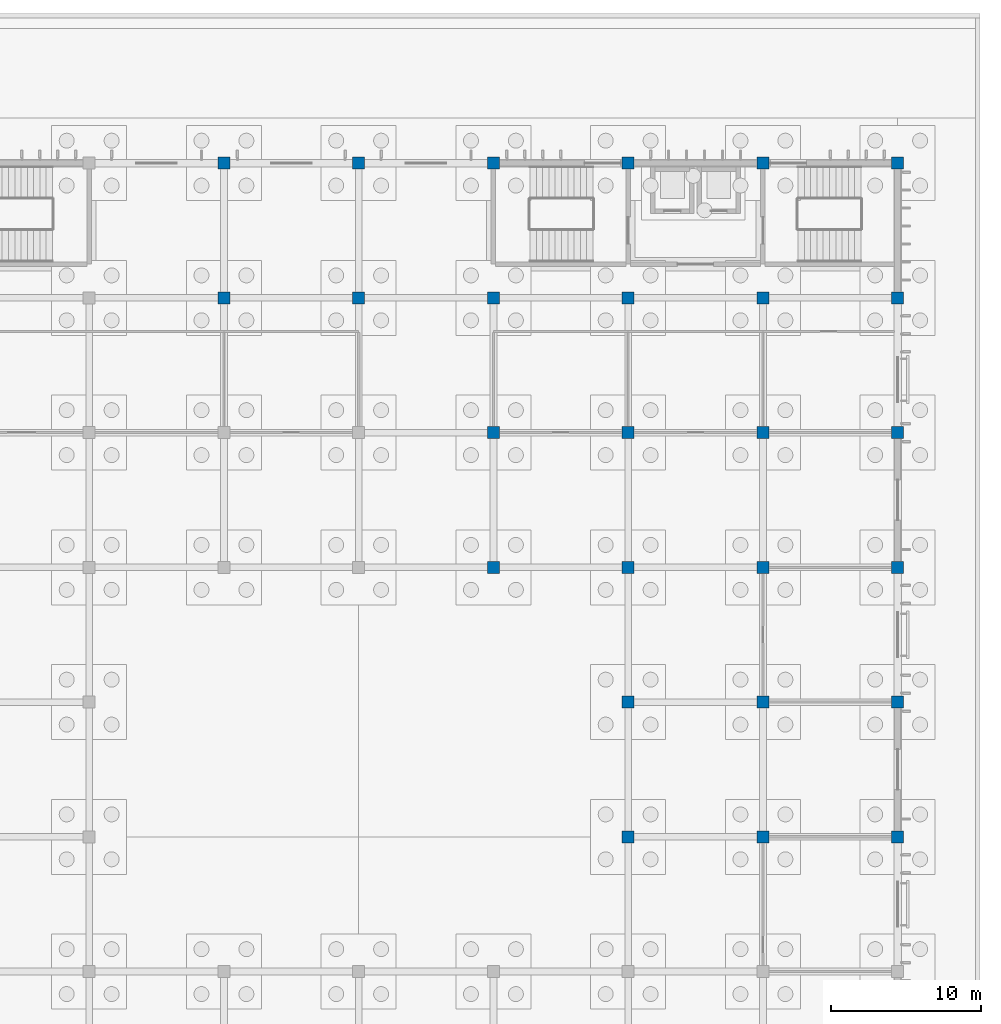
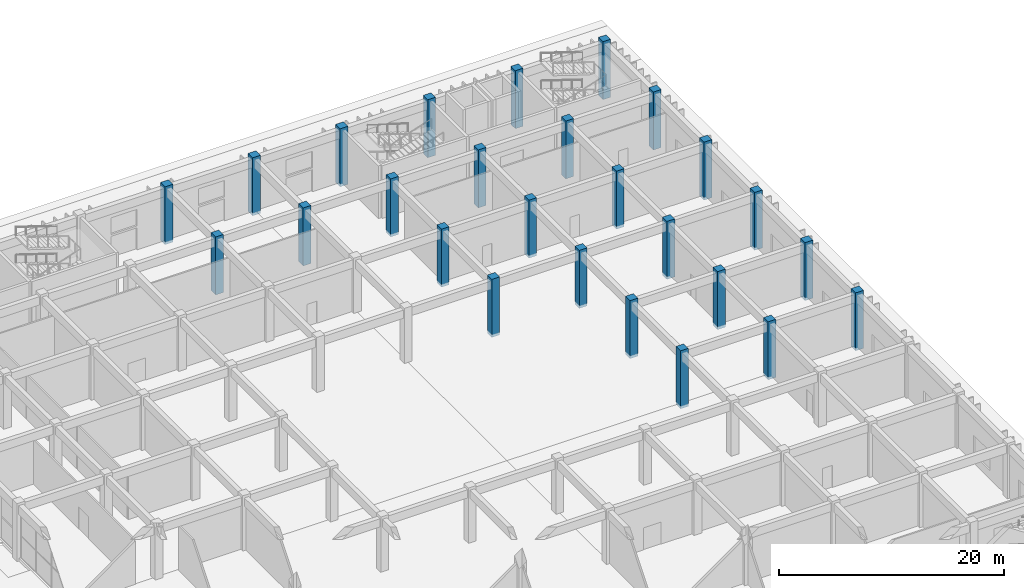
# One storey, part 34 of 198: 26 columns.
"""IFC4 building model written with IfcOpenShell, lengths in metres."""

from ifc_helpers import new_model, si_unit, direction, frame, origin, origin_2d, place, context, subcontext, project, spatial, rectangle, extrude, material, material_profile, profile_set, type_object, element, save


model = new_model("IFC4")

# Units and contexts
model_context = context("Model", 3, precision=1e-05, world=origin(), true_north=direction((0.0, 1.0)))
body_context = subcontext(model_context, "Body", "Model", "MODEL_VIEW")
ifc_project = project(units=[si_unit("LENGTHUNIT", "METRE"), si_unit("AREAUNIT", "SQUARE_METRE"), si_unit("VOLUMEUNIT", "CUBIC_METRE"), si_unit("PLANEANGLEUNIT", "RADIAN"), si_unit("MASSUNIT", "GRAM", prefix="KILO")], contexts=[model_context])

# Site, building, storey
site_placement = place(None, origin())
site = spatial("IfcSite", under=ifc_project, at=site_placement, CompositionType="ELEMENT")
building_placement = place(site_placement, origin())
building = spatial("IfcBuilding", under=site, at=building_placement, Name="Opaline Strait Convention Centre", CompositionType="ELEMENT")
storey_placement = place(building_placement, origin())
storey = spatial("IfcBuildingStorey", under=building, at=storey_placement, Name="L00", CompositionType="ELEMENT", Elevation=0.0)

# Columns
ifc_material = material(Name="Concrete C40", Category="concrete")
ifc_material_profile = material_profile(ifc_material, rectangle(XDim=0.800048828125, YDim=0.800048828125, at=origin_2d()), Name="RC 800x800")
ifc_profile_set = profile_set([ifc_material_profile], Name="Concrete C40")
column_type = type_object("IfcColumnType", Name="RC column 800x800 C40", PredefinedType="COLUMN", material=ifc_profile_set)
for number, where, z_axis, x_axis, name in (
    (1, (315.0, 171.0, -0.300048828125), (0.0, 0.0, 1.0), (1.0, 0.0, 0.0), "XC2 L00 at 36/V"),
    (2, (315.0, 180.0, -0.300048828125), (0.0, 0.0, 1.0), (1.0, 0.0, 0.0), "XC2 L00 at 36/W"),
    (3, (324.0, 171.0, -0.300048828125), (0.0, 0.0, 1.0), (1.0, 0.0, 0.0), "XC2 L00 at 37/V"),
    (4, (324.0, 180.0, -0.300048828125), (0.0, 0.0, 1.0), (1.0, 0.0, 0.0), "XC2 L00 at 37/W"),
    (5, (333.0, 153.0, -0.300048828125), (0.0, 0.0, 1.0), (1.0, 0.0, 0.0), "XC2 L00 at 38/T"),
    (6, (333.0, 162.0, -0.300048828125), (0.0, 0.0, 1.0), (1.0, 0.0, 0.0), "XC2 L00 at 38/U"),
    (7, (333.0, 171.0, -0.300048828125), (0.0, 0.0, 1.0), (1.0, 0.0, 0.0), "XC2 L00 at 38/V"),
    (8, (333.0, 180.0, -0.300048828125), (0.0, 0.0, 1.0), (1.0, 0.0, 0.0), "XC2 L00 at 38/W"),
    (9, (342.0, 135.0, -0.300048828125), (0.0, 0.0, 1.0), (1.0, 0.0, 0.0), "XC2 L00 at 39/R"),
    (10, (342.0, 144.0, -0.300048828125), (0.0, 0.0, 1.0), (1.0, 0.0, 0.0), "XC2 L00 at 39/S"),
    (11, (342.0, 153.0, -0.300048828125), (0.0, 0.0, 1.0), (1.0, 0.0, 0.0), "XC2 L00 at 39/T"),
    (12, (342.0, 162.0, -0.300048828125), (0.0, 0.0, 1.0), (1.0, 0.0, 0.0), "XC2 L00 at 39/U"),
    (13, (342.0, 171.0, -0.300048828125), (0.0, 0.0, 1.0), (1.0, 0.0, 0.0), "XC2 L00 at 39/V"),
    (14, (342.0, 180.0, -0.300048828125), (0.0, 0.0, 1.0), (1.0, 0.0, 0.0), "XC2 L00 at 39/W"),
    (15, (351.0, 135.0, -0.300048828125), (0.0, 0.0, 1.0), (1.0, 0.0, 0.0), "XC2 L00 at 40/R"),
    (16, (351.0, 144.0, -0.300048828125), (0.0, 0.0, 1.0), (1.0, 0.0, 0.0), "XC2 L00 at 40/S"),
    (17, (351.0, 153.0, -0.300048828125), (0.0, 0.0, 1.0), (1.0, 0.0, 0.0), "XC2 L00 at 40/T"),
    (18, (351.0, 162.0, -0.300048828125), (0.0, 0.0, 1.0), (1.0, 0.0, 0.0), "XC2 L00 at 40/U"),
    (19, (351.0, 171.0, -0.300048828125), (0.0, 0.0, 1.0), (1.0, 0.0, 0.0), "XC2 L00 at 40/V"),
    (20, (351.0, 180.0, -0.300048828125), (0.0, 0.0, 1.0), (1.0, 0.0, 0.0), "XC2 L00 at 40/W"),
    (21, (360.0, 135.0, -0.300048828125), (0.0, 0.0, 1.0), (1.0, 0.0, 0.0), "XC2 L00 at 41/R"),
    (22, (360.0, 144.0, -0.300048828125), (0.0, 0.0, 1.0), (1.0, 0.0, 0.0), "XC2 L00 at 41/S"),
    (23, (360.0, 153.0, -0.300048828125), (0.0, 0.0, 1.0), (1.0, 0.0, 0.0), "XC2 L00 at 41/T"),
    (24, (360.0, 162.0, -0.300048828125), (0.0, 0.0, 1.0), (1.0, 0.0, 0.0), "XC2 L00 at 41/U"),
    (25, (360.0, 171.0, -0.300048828125), (0.0, 0.0, 1.0), (1.0, 0.0, 0.0), "XC2 L00 at 41/V"),
    (26, (360.0, 180.0, -0.300048828125), (0.0, 0.0, 1.0), (1.0, 0.0, 0.0), "XC2 L00 at 41/W"),
):
    element("IfcColumn", number, at=place(storey_placement, frame(where, z_axis=z_axis, x_axis=x_axis)), inside=storey, type_object=column_type, Name=name, PredefinedType="COLUMN", context=body_context, shape_type="SweptSolid", body=[
        extrude(rectangle(XDim=0.800048828125, YDim=0.800048828125, at=origin_2d()), origin(), (0.0, 0.0, 1.0), 6.300048828125),
    ])

save(model, "model.ifc")
